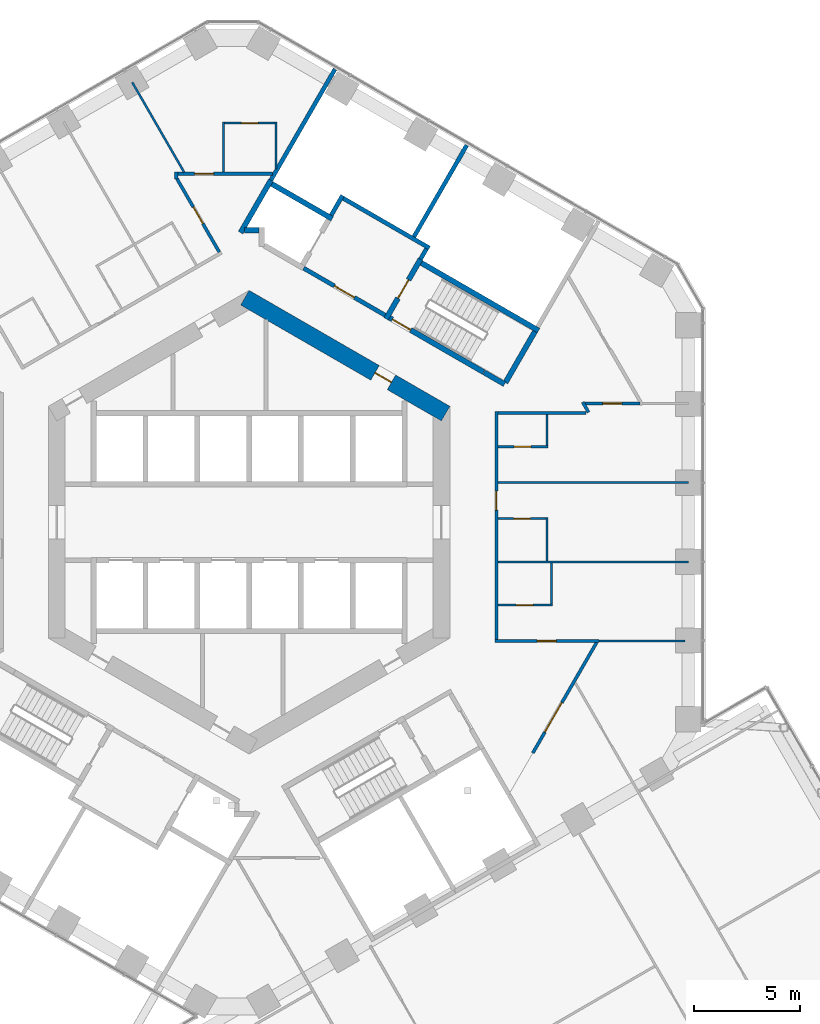
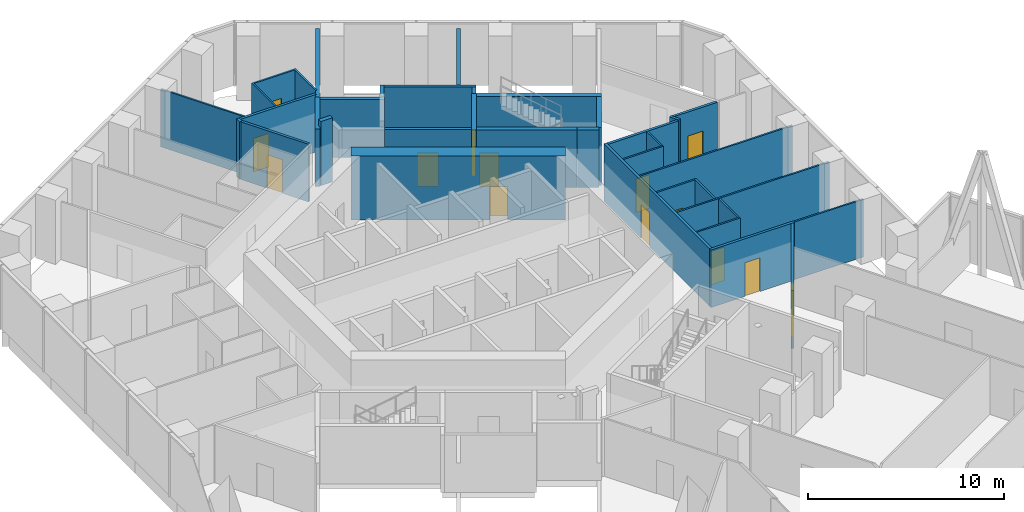
# One storey, part 21 of 27: 37 walls, 14 doors, 14 openings.
"""IFC4 building model written with IfcOpenShell, lengths in metres."""

from ifc_helpers import new_model, si_unit, direction, frame, frame_2d, origin, place, context, subcontext, project, spatial, rectangle, extrude, material, layer, layer_set, type_object, element, fill, save


model = new_model("IFC4")

# Units and contexts
model_context = context("Model", 3, precision=1e-05, world=origin(), true_north=direction((0.0, 1.0)))
body_context = subcontext(model_context, "Body", "Model", "MODEL_VIEW")
ifc_project = project(units=[si_unit("LENGTHUNIT", "METRE"), si_unit("AREAUNIT", "SQUARE_METRE"), si_unit("VOLUMEUNIT", "CUBIC_METRE"), si_unit("PLANEANGLEUNIT", "RADIAN"), si_unit("MASSUNIT", "GRAM", prefix="KILO")], contexts=[model_context])

# Site, building, storey
site_placement = place(None, origin())
site = spatial("IfcSite", under=ifc_project, at=site_placement, CompositionType="ELEMENT")
building_placement = place(site_placement, origin())
building = spatial("IfcBuilding", under=site, at=building_placement, Name="Ayvan Gate Tower", CompositionType="ELEMENT")
storey_placement = place(building_placement, frame((0.0, 0.0, 70.300048828125)))
storey = spatial("IfcBuildingStorey", under=building, at=storey_placement, Name="L18", CompositionType="ELEMENT", Elevation=70.300048828125)

# Wall, opening, door
ifc_material_1 = material(Name="Concrete C70/85", Category="concrete")
ifc_layer_1 = layer(ifc_material_1, 0.800048828125)
ifc_layer_set_1 = layer_set([ifc_layer_1], Name="Concrete C70/85")
wall_type_1 = type_object("IfcWallType", Name="Core wall 800 C70/85", PredefinedType="SHEAR", material=ifc_layer_set_1)
wall_1_placement = place(storey_placement, frame((9.300048828125, 5.138427734375, 0.0), z_axis=(0.0, 0.0, 1.0), x_axis=(-0.866023993627, 0.500002442456, 0.0)))
wall_1 = element("IfcWall", 1, at=wall_1_placement, inside=storey, type_object=wall_type_1, Name="CORE-L18-1", PredefinedType="SHEAR", context=body_context, shape_type="SweptSolid", body=[
    extrude(rectangle(XDim=10.9697265625, YDim=0.800048828125, at=frame_2d((5.48486328125, 0.0))), origin(), (0.0, 0.0, 1.0), 4.0),
])
opening_1_placement = place(wall_1_placement, frame((2.961669921875, 0.0, 0.0)))
opening_1 = element("IfcOpeningElement", 2, at=opening_1_placement, cuts=wall_1, Name="Opening L18-D53", PredefinedType="OPENING", context=body_context, shape_type="SweptSolid", body=[
    extrude(rectangle(XDim=0.89990234375, YDim=2.10009765625, at=frame_2d((0.449951171875, 1.050048828125))), frame((0.0, 0.409912109375, 0.0), z_axis=(0.0, -1.0, 0.0), x_axis=(1.0, 0.0, 0.0)), (0.0, 0.0, 1.0), 0.820068359375),
])
ifc_material_2 = material(Name="Timber door leaf", Category="wood")
door_type_1 = type_object("IfcDoorType", Name="DT-900", OperationType="NOTDEFINED", PredefinedType="DOOR", material=ifc_material_2)
door_1_placement = place(opening_1_placement, origin())
door_1 = element("IfcDoor", 3, at=door_1_placement, inside=storey, type_object=door_type_1, Name="CD-L18-53", OperationType="SINGLE_SWING_LEFT", OverallHeight=2.10009765625, OverallWidth=0.89990234375, PredefinedType="DOOR", context=body_context, shape_type="SweptSolid", body=[
    extrude(rectangle(XDim=0.89990234375, YDim=2.10009765625, at=frame_2d((0.449951171875, 1.050048828125))), frame((0.0, 0.02490234375, 0.0), z_axis=(0.0, -1.0, 0.0), x_axis=(1.0, 0.0, 0.0)), (0.0, 0.0, 1.0), 0.050048828125),
])
fill(opening_1, door_1)

# Wall
ifc_material_3 = material(Name="Plasterboard on steel stud", Category="steel")
ifc_layer_2 = layer(ifc_material_3, 0.14990234375)
ifc_layer_set_2 = layer_set([ifc_layer_2], Name="Plasterboard on steel stud")
wall_type_2 = type_object("IfcWallType", Name="WT-CORR-150", PredefinedType="PARTITIONING", material=ifc_layer_set_2)
wall_2_placement = place(storey_placement, frame((-3.449951171875, 16.238525390625, 0.0), z_axis=(0.0, 0.0, 1.0), x_axis=(0.0, 1.0, 0.0)))
element("IfcWall", 4, at=wall_2_placement, inside=storey, type_object=wall_type_2, Name="IW-L18-049", PredefinedType="PARTITIONING", context=body_context, shape_type="SweptSolid", body=[
    extrude(rectangle(XDim=0.32177734375, YDim=0.14990234375, at=frame_2d((0.160888671875, 0.0))), origin(), (0.0, 0.0, 1.0), 3.599853515625),
])

# Wall, opening, door
wall_3_placement = place(storey_placement, frame((-3.375, 16.4853515625, 0.0), z_axis=(0.0, 0.0, 1.0), x_axis=(1.0, 0.0, 0.0)))
wall_3 = element("IfcWall", 5, at=wall_3_placement, inside=storey, type_object=wall_type_2, Name="IW-L18-050", PredefinedType="PARTITIONING", context=body_context, shape_type="SweptSolid", body=[
    extrude(rectangle(XDim=4.47900390625, YDim=0.14990234375, at=frame_2d((2.239501953125, 0.0))), origin(), (0.0, 0.0, 1.0), 3.599853515625),
])
opening_2_placement = place(wall_3_placement, frame((0.7998046875, 0.0, 0.0)))
opening_2 = element("IfcOpeningElement", 6, at=opening_2_placement, cuts=wall_3, Name="Opening L18-D24", PredefinedType="OPENING", context=body_context, shape_type="SweptSolid", body=[
    extrude(rectangle(XDim=0.89990234375, YDim=2.10009765625, at=frame_2d((0.449951171875, 1.050048828125))), frame((0.0, 0.0849609375, 0.0), z_axis=(0.0, -1.0, 0.0), x_axis=(1.0, 0.0, 0.0)), (0.0, 0.0, 1.0), 0.169921875),
])
door_2_placement = place(opening_2_placement, origin())
door_2 = element("IfcDoor", 7, at=door_2_placement, inside=storey, type_object=door_type_1, Name="ID-L18-024", OperationType="SINGLE_SWING_RIGHT", OverallHeight=2.10009765625, OverallWidth=0.89990234375, PredefinedType="DOOR", context=body_context, shape_type="SweptSolid", body=[
    extrude(rectangle(XDim=0.89990234375, YDim=2.10009765625, at=frame_2d((0.449951171875, 1.050048828125))), frame((0.0, 0.02490234375, 0.0), z_axis=(0.0, -1.0, 0.0), x_axis=(1.0, 0.0, 0.0)), (0.0, 0.0, 1.0), 0.050048828125),
])
fill(opening_2, door_2)

wall_4_placement = place(storey_placement, frame((-1.410888671875, 12.781982421875, 0.0), z_axis=(0.0, 0.0, 1.0), x_axis=(-0.500055051143, 0.865993617659, 0.0)))
wall_4 = element("IfcWall", 8, at=wall_4_placement, inside=storey, type_object=wall_type_2, Name="IW-L18-058", PredefinedType="PARTITIONING", context=body_context, shape_type="SweptSolid", body=[
    extrude(rectangle(XDim=4.0029296875, YDim=0.14990234375, at=frame_2d((2.00146484375, 0.0))), origin(), (0.0, 0.0, 1.0), 3.599853515625),
])
opening_3_placement = place(wall_4_placement, frame((1.551513671875, 0.0, 0.0)))
opening_3 = element("IfcOpeningElement", 9, at=opening_3_placement, cuts=wall_4, Name="Opening L18-D34", PredefinedType="OPENING", context=body_context, shape_type="SweptSolid", body=[
    extrude(rectangle(XDim=0.89990234375, YDim=2.10009765625, at=frame_2d((0.449951171875, 1.050048828125))), frame((0.0, 0.0849609375, 0.0), z_axis=(0.0, -1.0, 0.0), x_axis=(1.0, 0.0, 0.0)), (0.0, 0.0, 1.0), 0.169921875),
])
door_3_placement = place(opening_3_placement, origin())
door_3 = element("IfcDoor", 10, at=door_3_placement, inside=storey, type_object=door_type_1, Name="ID-L18-034", OperationType="SINGLE_SWING_RIGHT", OverallHeight=2.10009765625, OverallWidth=0.89990234375, PredefinedType="DOOR", context=body_context, shape_type="SweptSolid", body=[
    extrude(rectangle(XDim=0.89990234375, YDim=2.10009765625, at=frame_2d((0.449951171875, 1.050048828125))), frame((0.0, 0.02490234375, 0.0), z_axis=(0.0, -1.0, 0.0), x_axis=(1.0, 0.0, 0.0)), (0.0, 0.0, 1.0), 0.050048828125),
])
fill(opening_3, door_3)

wall_5_placement = place(storey_placement, frame((11.625, -5.618896484375, 0.0), z_axis=(0.0, 0.0, 1.0), x_axis=(1.0, 0.0, 0.0)))
wall_5 = element("IfcWall", 11, at=wall_5_placement, inside=storey, type_object=wall_type_2, Name="IW-L18-111", PredefinedType="PARTITIONING", context=body_context, shape_type="SweptSolid", body=[
    extrude(rectangle(XDim=4.933349609375, YDim=0.14990234375, at=frame_2d((2.466796875, 0.0))), origin(), (0.0, 0.0, 1.0), 3.599853515625),
])
opening_4_placement = place(wall_5_placement, frame((1.999267578125, 0.0, 0.0)))
opening_4 = element("IfcOpeningElement", 12, at=opening_4_placement, cuts=wall_5, Name="Opening L18-D17", PredefinedType="OPENING", context=body_context, shape_type="SweptSolid", body=[
    extrude(rectangle(XDim=0.89990234375, YDim=2.10009765625, at=frame_2d((0.449951171875, 1.050048828125))), frame((0.0, 0.0849609375, 0.0), z_axis=(0.0, -1.0, 0.0), x_axis=(1.0, 0.0, 0.0)), (0.0, 0.0, 1.0), 0.169921875),
])
door_4_placement = place(opening_4_placement, origin())
door_4 = element("IfcDoor", 13, at=door_4_placement, inside=storey, type_object=door_type_1, Name="ID-L18-017", OperationType="SINGLE_SWING_LEFT", OverallHeight=2.10009765625, OverallWidth=0.89990234375, PredefinedType="DOOR", context=body_context, shape_type="SweptSolid", body=[
    extrude(rectangle(XDim=0.89990234375, YDim=2.10009765625, at=frame_2d((0.449951171875, 1.050048828125))), frame((0.0, 0.02490234375, 0.0), z_axis=(0.0, -1.0, 0.0), x_axis=(1.0, 0.0, 0.0)), (0.0, 0.0, 1.0), 0.050048828125),
])
fill(opening_4, door_4)

wall_6_placement = place(storey_placement, frame((11.699951171875, -5.5439453125, 0.0), z_axis=(0.0, 0.0, 1.0), x_axis=(0.0, 1.0, 0.0)))
wall_6 = element("IfcWall", 14, at=wall_6_placement, inside=storey, type_object=wall_type_2, Name="IW-L18-112", PredefinedType="PARTITIONING", context=body_context, shape_type="SweptSolid", body=[
    extrude(rectangle(XDim=10.787841796875, YDim=0.14990234375, at=frame_2d((5.39404296875, 0.0))), origin(), (0.0, 0.0, 1.0), 3.599853515625),
])
opening_5_placement = place(wall_6_placement, frame((6.116943359375, 0.0, 0.0)))
opening_5 = element("IfcOpeningElement", 15, at=opening_5_placement, cuts=wall_6, Name="Opening L18-D19", PredefinedType="OPENING", context=body_context, shape_type="SweptSolid", body=[
    extrude(rectangle(XDim=0.89990234375, YDim=2.10009765625, at=frame_2d((0.449951171875, 1.050048828125))), frame((0.0, 0.0849609375, 0.0), z_axis=(0.0, -1.0, 0.0), x_axis=(1.0, 0.0, 0.0)), (0.0, 0.0, 1.0), 0.169921875),
])
door_5_placement = place(opening_5_placement, origin())
door_5 = element("IfcDoor", 16, at=door_5_placement, inside=storey, type_object=door_type_1, Name="ID-L18-019", OperationType="SINGLE_SWING_LEFT", OverallHeight=2.10009765625, OverallWidth=0.89990234375, PredefinedType="DOOR", context=body_context, shape_type="SweptSolid", body=[
    extrude(rectangle(XDim=0.89990234375, YDim=2.10009765625, at=frame_2d((0.449951171875, 1.050048828125))), frame((0.0, 0.02490234375, 0.0), z_axis=(0.0, -1.0, 0.0), x_axis=(1.0, 0.0, 0.0)), (0.0, 0.0, 1.0), 0.050048828125),
])
fill(opening_5, door_5)

# Wall
wall_7_placement = place(storey_placement, frame((11.77490234375, 5.1689453125, 0.0), z_axis=(0.0, 0.0, 1.0), x_axis=(1.0, 0.0, 0.0)))
element("IfcWall", 17, at=wall_7_placement, inside=storey, type_object=wall_type_2, Name="IW-L18-124", PredefinedType="PARTITIONING", context=body_context, shape_type="SweptSolid", body=[
    extrude(rectangle(XDim=4.153076171875, YDim=0.14990234375, at=frame_2d((2.07666015625, 0.0))), origin(), (0.0, 0.0, 1.0), 3.599853515625),
])

# Wall, opening, door
wall_8_placement = place(storey_placement, frame((13.424072265625, -10.917724609375, 0.0), z_axis=(0.0, 0.0, 1.0), x_axis=(0.499992877875, 0.866029515706, 0.0)))
wall_8 = element("IfcWall", 18, at=wall_8_placement, inside=storey, type_object=wall_type_2, Name="IW-L18-129", PredefinedType="PARTITIONING", context=body_context, shape_type="SweptSolid", body=[
    extrude(rectangle(XDim=6.04345703125, YDim=0.14990234375, at=frame_2d((3.021728515625, 0.0))), origin(), (0.0, 0.0, 1.0), 3.599853515625),
])
opening_6_placement = place(wall_8_placement, frame((1.145751953125, 0.0, 0.0)))
opening_6 = element("IfcOpeningElement", 19, at=opening_6_placement, cuts=wall_8, Name="Opening L18-D41", PredefinedType="OPENING", context=body_context, shape_type="SweptSolid", body=[
    extrude(rectangle(XDim=1.60009765625, YDim=2.10009765625, at=frame_2d((0.800048828125, 1.050048828125))), frame((0.0, 0.0849609375, 0.0), z_axis=(0.0, -1.0, 0.0), x_axis=(1.0, 0.0, 0.0)), (0.0, 0.0, 1.0), 0.169921875),
])
door_type_2 = type_object("IfcDoorType", Name="DT-1600", OperationType="NOTDEFINED", PredefinedType="DOOR", material=ifc_material_2)
door_6_placement = place(opening_6_placement, origin())
door_6 = element("IfcDoor", 20, at=door_6_placement, inside=storey, type_object=door_type_2, Name="ID-L18-041", OperationType="SINGLE_SWING_LEFT", OverallHeight=2.10009765625, OverallWidth=1.60009765625, PredefinedType="DOOR", context=body_context, shape_type="SweptSolid", body=[
    extrude(rectangle(XDim=1.60009765625, YDim=2.10009765625, at=frame_2d((0.800048828125, 1.050048828125))), frame((0.0, 0.02490234375, 0.0), z_axis=(0.0, -1.0, 0.0), x_axis=(1.0, 0.0, 0.0)), (0.0, 0.0, 1.0), 0.050048828125),
])
fill(opening_6, door_6)

# Wall
wall_9_placement = place(storey_placement, frame((15.78369140625, 5.683837890625, 0.0), z_axis=(0.0, 0.0, 1.0), x_axis=(0.49987468637, -0.866097741555, 0.0)))
element("IfcWall", 21, at=wall_9_placement, inside=storey, type_object=wall_type_2, Name="IW-L18-130", PredefinedType="PARTITIONING", context=body_context, shape_type="SweptSolid", body=[
    extrude(rectangle(XDim=0.555419921875, YDim=0.14990234375, at=frame_2d((0.27783203125, 0.0))), origin(), (0.0, 0.0, 1.0), 3.599853515625),
])

# Wall, opening, door
wall_10_placement = place(storey_placement, frame((18.48681640625, 5.618896484375, 0.0), z_axis=(0.0, 0.0, 1.0), x_axis=(-1.0, 0.0, 0.0)))
wall_10 = element("IfcWall", 22, at=wall_10_placement, inside=storey, type_object=wall_type_2, Name="IW-L18-133", PredefinedType="PARTITIONING", context=body_context, shape_type="SweptSolid", body=[
    extrude(rectangle(XDim=2.5908203125, YDim=0.14990234375, at=frame_2d((1.29541015625, 0.0))), origin(), (0.0, 0.0, 1.0), 3.599853515625),
])
opening_7_placement = place(wall_10_placement, frame((0.84521484375, 0.0, 0.0)))
opening_7 = element("IfcOpeningElement", 23, at=opening_7_placement, cuts=wall_10, Name="Opening L18-D21", PredefinedType="OPENING", context=body_context, shape_type="SweptSolid", body=[
    extrude(rectangle(XDim=0.89990234375, YDim=2.10009765625, at=frame_2d((0.449951171875, 1.050048828125))), frame((0.0, 0.0849609375, 0.0), z_axis=(0.0, -1.0, 0.0), x_axis=(1.0, 0.0, 0.0)), (0.0, 0.0, 1.0), 0.169921875),
])
door_7_placement = place(opening_7_placement, origin())
door_7 = element("IfcDoor", 24, at=door_7_placement, inside=storey, type_object=door_type_1, Name="ID-L18-021", OperationType="SINGLE_SWING_LEFT", OverallHeight=2.10009765625, OverallWidth=0.89990234375, PredefinedType="DOOR", context=body_context, shape_type="SweptSolid", body=[
    extrude(rectangle(XDim=0.89990234375, YDim=2.10009765625, at=frame_2d((0.449951171875, 1.050048828125))), frame((0.0, 0.02490234375, 0.0), z_axis=(0.0, -1.0, 0.0), x_axis=(1.0, 0.0, 0.0)), (0.0, 0.0, 1.0), 0.050048828125),
])
fill(opening_7, door_7)

# Walls
ifc_layer_3 = layer(ifc_material_3, 0.10009765625)
ifc_layer_set_3 = layer_set([ifc_layer_3], Name="Plasterboard on steel stud")
wall_type_3 = type_object("IfcWallType", Name="WT-PART-100", PredefinedType="PARTITIONING", material=ifc_layer_set_3)
wall_11_placement = place(storey_placement, frame((-3.067138671875, 16.55029296875, 0.0), z_axis=(0.0, 0.0, 1.0), x_axis=(-0.499983141994, 0.86603513654, 0.0)))
element("IfcWall", 25, at=wall_11_placement, inside=storey, type_object=wall_type_3, Name="IW-L18-051", PredefinedType="PARTITIONING", context=body_context, shape_type="SweptSolid", body=[
    extrude(rectangle(XDim=4.918212890625, YDim=0.10009765625, at=frame_2d((2.458984375, 0.0))), origin(), (0.0, 0.0, 1.0), 3.599853515625),
])
wall_12_placement = place(storey_placement, frame((-1.220703125, 18.934326171875, 0.0), z_axis=(0.0, 0.0, 1.0), x_axis=(0.0, -1.0, 0.0)))
element("IfcWall", 26, at=wall_12_placement, inside=storey, type_object=wall_type_3, Name="IW-L18-059", PredefinedType="PARTITIONING", context=body_context, shape_type="SweptSolid", body=[
    extrude(rectangle(XDim=2.3740234375, YDim=0.10009765625, at=frame_2d((1.18701171875, 0.0))), origin(), (0.0, 0.0, 1.0), 3.599853515625),
])
wall_13_placement = place(storey_placement, frame((1.279296875, 16.7158203125, 0.0), z_axis=(0.0, 0.0, 1.0), x_axis=(0.0, 1.0, 0.0)))
element("IfcWall", 27, at=wall_13_placement, inside=storey, type_object=wall_type_3, Name="IW-L18-074", PredefinedType="PARTITIONING", context=body_context, shape_type="SweptSolid", body=[
    extrude(rectangle(XDim=2.218505859375, YDim=0.10009765625, at=frame_2d((1.109375, 0.0))), origin(), (0.0, 0.0, 1.0), 3.599853515625),
])

# Wall, opening, door
wall_14_placement = place(storey_placement, frame((1.229248046875, 18.884521484375, 0.0), z_axis=(0.0, 0.0, 1.0), x_axis=(-1.0, 0.0, 0.0)))
wall_14 = element("IfcWall", 28, at=wall_14_placement, inside=storey, type_object=wall_type_3, Name="IW-L18-075", PredefinedType="PARTITIONING", context=body_context, shape_type="SweptSolid", body=[
    extrude(rectangle(XDim=2.400146484375, YDim=0.10009765625, at=frame_2d((1.2001953125, 0.0))), origin(), (0.0, 0.0, 1.0), 3.599853515625),
])
opening_8_placement = place(wall_14_placement, frame((0.800048828125, 0.0, 0.0)))
opening_8 = element("IfcOpeningElement", 29, at=opening_8_placement, cuts=wall_14, Name="Opening L18-D25", PredefinedType="OPENING", context=body_context, shape_type="SweptSolid", body=[
    extrude(rectangle(XDim=0.800048828125, YDim=2.10009765625, at=frame_2d((0.39990234375, 1.050048828125))), frame((0.0, 0.06005859375, 0.0), z_axis=(0.0, -1.0, 0.0), x_axis=(1.0, 0.0, 0.0)), (0.0, 0.0, 1.0), 0.1201171875),
])
door_type_3 = type_object("IfcDoorType", Name="DT-800", OperationType="NOTDEFINED", PredefinedType="DOOR", material=ifc_material_2)
door_8_placement = place(opening_8_placement, origin())
door_8 = element("IfcDoor", 30, at=door_8_placement, inside=storey, type_object=door_type_3, Name="ID-L18-025", OperationType="SINGLE_SWING_LEFT", OverallHeight=2.10009765625, OverallWidth=0.800048828125, PredefinedType="DOOR", context=body_context, shape_type="SweptSolid", body=[
    extrude(rectangle(XDim=0.800048828125, YDim=2.10009765625, at=frame_2d((0.39990234375, 1.050048828125))), frame((0.0, 0.02490234375, 0.0), z_axis=(0.0, -1.0, 0.0), x_axis=(1.0, 0.0, 0.0)), (0.0, 0.0, 1.0), 0.050048828125),
])
fill(opening_8, door_8)

wall_15_placement = place(storey_placement, frame((11.77490234375, -3.9189453125, 0.0), z_axis=(0.0, 0.0, 1.0), x_axis=(1.0, 0.0, 0.0)))
wall_15 = element("IfcWall", 31, at=wall_15_placement, inside=storey, type_object=wall_type_3, Name="IW-L18-113", PredefinedType="PARTITIONING", context=body_context, shape_type="SweptSolid", body=[
    extrude(rectangle(XDim=2.5751953125, YDim=0.10009765625, at=frame_2d((1.28759765625, 0.0))), origin(), (0.0, 0.0, 1.0), 3.599853515625),
])
opening_9_placement = place(wall_15_placement, frame((0.862548828125, 0.0, 0.0)))
opening_9 = element("IfcOpeningElement", 32, at=opening_9_placement, cuts=wall_15, Name="Opening L18-D18", PredefinedType="OPENING", context=body_context, shape_type="SweptSolid", body=[
    extrude(rectangle(XDim=0.800048828125, YDim=2.10009765625, at=frame_2d((0.39990234375, 1.050048828125))), frame((0.0, 0.06005859375, 0.0), z_axis=(0.0, -1.0, 0.0), x_axis=(1.0, 0.0, 0.0)), (0.0, 0.0, 1.0), 0.1201171875),
])
door_9_placement = place(opening_9_placement, origin())
door_9 = element("IfcDoor", 33, at=door_9_placement, inside=storey, type_object=door_type_3, Name="ID-L18-018", OperationType="SINGLE_SWING_RIGHT", OverallHeight=2.10009765625, OverallWidth=0.800048828125, PredefinedType="DOOR", context=body_context, shape_type="SweptSolid", body=[
    extrude(rectangle(XDim=0.800048828125, YDim=2.10009765625, at=frame_2d((0.39990234375, 1.050048828125))), frame((0.0, 0.02490234375, 0.0), z_axis=(0.0, -1.0, 0.0), x_axis=(1.0, 0.0, 0.0)), (0.0, 0.0, 1.0), 0.050048828125),
])
fill(opening_9, door_9)

# Walls
for number, where, z_axis, x_axis, name in (
    (34, (11.77490234375, -1.873046875, 0.0), (0.0, 0.0, 1.0), (1.0, 0.0, 0.0), "IW-L18-114"),
    (35, (11.77490234375, 1.873046875, 0.0), (0.0, 0.0, 1.0), (1.0, 0.0, 0.0), "IW-L18-115"),
):
    element("IfcWall", number, at=place(storey_placement, frame(where, z_axis=z_axis, x_axis=x_axis)), inside=storey, type_object=wall_type_3, Name=name, PredefinedType="PARTITIONING", context=body_context, shape_type="SweptSolid", body=[
        extrude(rectangle(XDim=9.009765625, YDim=0.10009765625, at=frame_2d((4.5048828125, 0.0))), origin(), (0.0, 0.0, 1.0), 3.599853515625),
    ])

# Wall, opening, door
wall_16_placement = place(storey_placement, frame((11.77490234375, 3.572998046875, 0.0), z_axis=(0.0, 0.0, 1.0), x_axis=(1.0, 0.0, 0.0)))
wall_16 = element("IfcWall", 36, at=wall_16_placement, inside=storey, type_object=wall_type_3, Name="IW-L18-116", PredefinedType="PARTITIONING", context=body_context, shape_type="SweptSolid", body=[
    extrude(rectangle(XDim=2.375, YDim=0.10009765625, at=frame_2d((1.1875, 0.0))), origin(), (0.0, 0.0, 1.0), 3.599853515625),
])
opening_10_placement = place(wall_16_placement, frame((0.762451171875, 0.0, 0.0)))
opening_10 = element("IfcOpeningElement", 37, at=opening_10_placement, cuts=wall_16, Name="Opening L18-D22", PredefinedType="OPENING", context=body_context, shape_type="SweptSolid", body=[
    extrude(rectangle(XDim=0.800048828125, YDim=2.10009765625, at=frame_2d((0.39990234375, 1.050048828125))), frame((0.0, 0.06005859375, 0.0), z_axis=(0.0, -1.0, 0.0), x_axis=(1.0, 0.0, 0.0)), (0.0, 0.0, 1.0), 0.1201171875),
])
door_10_placement = place(opening_10_placement, origin())
door_10 = element("IfcDoor", 38, at=door_10_placement, inside=storey, type_object=door_type_3, Name="ID-L18-022", OperationType="SINGLE_SWING_RIGHT", OverallHeight=2.10009765625, OverallWidth=0.800048828125, PredefinedType="DOOR", context=body_context, shape_type="SweptSolid", body=[
    extrude(rectangle(XDim=0.800048828125, YDim=2.10009765625, at=frame_2d((0.39990234375, 1.050048828125))), frame((0.0, 0.02490234375, 0.0), z_axis=(0.0, -1.0, 0.0), x_axis=(1.0, 0.0, 0.0)), (0.0, 0.0, 1.0), 0.050048828125),
])
fill(opening_10, door_10)

# Wall
wall_17_placement = place(storey_placement, frame((14.10009765625, -1.822998046875, 0.0), z_axis=(0.0, 0.0, 1.0), x_axis=(0.0, 1.0, 0.0)))
element("IfcWall", 39, at=wall_17_placement, inside=storey, type_object=wall_type_3, Name="IW-L18-121", PredefinedType="PARTITIONING", context=body_context, shape_type="SweptSolid", body=[
    extrude(rectangle(XDim=2.0458984375, YDim=0.10009765625, at=frame_2d((1.02294921875, 0.0))), origin(), (0.0, 0.0, 1.0), 3.599853515625),
])

# Wall, opening, door
wall_18_placement = place(storey_placement, frame((14.050048828125, 0.173095703125, 0.0), z_axis=(0.0, 0.0, 1.0), x_axis=(-1.0, 0.0, 0.0)))
wall_18 = element("IfcWall", 40, at=wall_18_placement, inside=storey, type_object=wall_type_3, Name="IW-L18-122", PredefinedType="PARTITIONING", context=body_context, shape_type="SweptSolid", body=[
    extrude(rectangle(XDim=2.275146484375, YDim=0.10009765625, at=frame_2d((1.1376953125, 0.0))), origin(), (0.0, 0.0, 1.0), 3.599853515625),
])
opening_11_placement = place(wall_18_placement, frame((0.737548828125, 0.0, 0.0)))
opening_11 = element("IfcOpeningElement", 41, at=opening_11_placement, cuts=wall_18, Name="Opening L18-D20", PredefinedType="OPENING", context=body_context, shape_type="SweptSolid", body=[
    extrude(rectangle(XDim=0.800048828125, YDim=2.10009765625, at=frame_2d((0.39990234375, 1.050048828125))), frame((0.0, 0.06005859375, 0.0), z_axis=(0.0, -1.0, 0.0), x_axis=(1.0, 0.0, 0.0)), (0.0, 0.0, 1.0), 0.1201171875),
])
door_11_placement = place(opening_11_placement, origin())
door_11 = element("IfcDoor", 42, at=door_11_placement, inside=storey, type_object=door_type_3, Name="ID-L18-020", OperationType="SINGLE_SWING_RIGHT", OverallHeight=2.10009765625, OverallWidth=0.800048828125, PredefinedType="DOOR", context=body_context, shape_type="SweptSolid", body=[
    extrude(rectangle(XDim=0.800048828125, YDim=2.10009765625, at=frame_2d((0.39990234375, 1.050048828125))), frame((0.0, 0.02490234375, 0.0), z_axis=(0.0, -1.0, 0.0), x_axis=(1.0, 0.0, 0.0)), (0.0, 0.0, 1.0), 0.050048828125),
])
fill(opening_11, door_11)

# Walls
wall_19_placement = place(storey_placement, frame((14.10009765625, 3.623046875, 0.0), z_axis=(0.0, 0.0, 1.0), x_axis=(0.0, 1.0, 0.0)))
element("IfcWall", 43, at=wall_19_placement, inside=storey, type_object=wall_type_3, Name="IW-L18-123", PredefinedType="PARTITIONING", context=body_context, shape_type="SweptSolid", body=[
    extrude(rectangle(XDim=1.470947265625, YDim=0.10009765625, at=frame_2d((0.7353515625, 0.0))), origin(), (0.0, 0.0, 1.0), 3.599853515625),
])
wall_20_placement = place(storey_placement, frame((14.300048828125, -3.868896484375, 0.0), z_axis=(0.0, 0.0, 1.0), x_axis=(0.0, 1.0, 0.0)))
element("IfcWall", 44, at=wall_20_placement, inside=storey, type_object=wall_type_3, Name="IW-L18-125", PredefinedType="PARTITIONING", context=body_context, shape_type="SweptSolid", body=[
    extrude(rectangle(XDim=1.94580078125, YDim=0.10009765625, at=frame_2d((0.972900390625, 0.0))), origin(), (0.0, 0.0, 1.0), 3.599853515625),
])
wall_21_placement = place(storey_placement, frame((20.634765625, -5.618896484375, 0.0), z_axis=(0.0, 0.0, 1.0), x_axis=(-1.0, 0.0, 0.0)))
element("IfcWall", 45, at=wall_21_placement, inside=storey, type_object=wall_type_3, Name="IW-L18-136", PredefinedType="PARTITIONING", context=body_context, shape_type="SweptSolid", body=[
    extrude(rectangle(XDim=4.07666015625, YDim=0.10009765625, at=frame_2d((2.038330078125, 0.0))), origin(), (0.0, 0.0, 1.0), 3.599853515625),
])
ifc_layer_4 = layer(ifc_material_3, 0.199951171875)
ifc_layer_set_4 = layer_set([ifc_layer_4], Name="Plasterboard on steel stud")
wall_type_4 = type_object("IfcWallType", Name="WT-PLUMB-200", PredefinedType="PLUMBINGWALL", material=ifc_layer_set_4)
wall_22_placement = place(storey_placement, frame((1.027099609375, 16.178955078125, 0.0), z_axis=(0.0, 0.0, 1.0), x_axis=(0.49999965181, 0.866025604812, 0.0)))
element("IfcWall", 46, at=wall_22_placement, inside=storey, type_object=wall_type_4, Name="IW-L18-072", PredefinedType="PLUMBINGWALL", context=body_context, shape_type="SweptSolid", body=[
    extrude(rectangle(XDim=6.07373046875, YDim=0.199951171875, at=frame_2d((3.036865234375, 0.0))), origin(), (0.0, 0.0, 1.0), 3.599853515625),
])
wall_23_placement = place(storey_placement, frame((3.885009765625, 14.52880859375, 0.0), z_axis=(0.0, 0.0, 1.0), x_axis=(0.499997628298, 0.866026773083, 0.0)))
element("IfcWall", 47, at=wall_23_placement, inside=storey, type_object=wall_type_4, Name="IW-L18-086", PredefinedType="PLUMBINGWALL", context=body_context, shape_type="SweptSolid", body=[
    extrude(rectangle(XDim=1.0751953125, YDim=0.199951171875, at=frame_2d((0.53759765625, 0.0))), origin(), (0.0, 0.0, 1.0), 3.599853515625),
])
wall_24_placement = place(storey_placement, frame((4.458984375, 15.323486328125, 0.0), z_axis=(0.0, 0.0, 1.0), x_axis=(0.866016039709, -0.500016218704, 0.0)))
element("IfcWall", 48, at=wall_24_placement, inside=storey, type_object=wall_type_4, Name="IW-L18-087", PredefinedType="PLUMBINGWALL", context=body_context, shape_type="SweptSolid", body=[
    extrude(rectangle(XDim=4.699951171875, YDim=0.199951171875, at=frame_2d((2.35009765625, 0.0))), origin(), (0.0, 0.0, 1.0), 3.599853515625),
])
wall_25_placement = place(storey_placement, frame((7.800048828125, 13.510009765625, 0.0), z_axis=(0.0, 0.0, 1.0), x_axis=(0.500000087074, 0.866025353512, 0.0)))
element("IfcWall", 49, at=wall_25_placement, inside=storey, type_object=wall_type_4, Name="IW-L18-102", PredefinedType="PLUMBINGWALL", context=body_context, shape_type="SweptSolid", body=[
    extrude(rectangle(XDim=4.99853515625, YDim=0.199951171875, at=frame_2d((2.499267578125, 0.0))), origin(), (0.0, 0.0, 1.0), 3.599853515625),
])
wall_26_placement = place(storey_placement, frame((8.392822265625, 12.936767578125, 0.0), z_axis=(0.0, 0.0, 1.0), x_axis=(-0.500065409566, -0.86598763626, 0.0)))
element("IfcWall", 50, at=wall_26_placement, inside=storey, type_object=wall_type_4, Name="IW-L18-104", PredefinedType="PLUMBINGWALL", context=body_context, shape_type="SweptSolid", body=[
    extrude(rectangle(XDim=0.5751953125, YDim=0.199951171875, at=frame_2d((0.28759765625, 0.0))), origin(), (0.0, 0.0, 1.0), 3.599853515625),
])

# Wall, opening, door
ifc_layer_5 = layer(ifc_material_3, 0.199951171875)
ifc_layer_set_5 = layer_set([ifc_layer_5], Name="Plasterboard on steel stud")
wall_type_5 = type_object("IfcWallType", Name="WT-RATED-200", PredefinedType="PARTITIONING", material=ifc_layer_set_5)
wall_27_placement = place(storey_placement, frame((6.4345703125, 9.794921875, 0.0), z_axis=(0.0, 0.0, 1.0), x_axis=(-0.866012907634, 0.500021643343, 0.0)))
wall_27 = element("IfcWall", 51, at=wall_27_placement, inside=storey, type_object=wall_type_5, Name="IW-L18-093", PredefinedType="PARTITIONING", context=body_context, shape_type="SweptSolid", body=[
    extrude(rectangle(XDim=4.449951171875, YDim=0.199951171875, at=frame_2d((2.22509765625, 0.0))), origin(), (0.0, 0.0, 1.0), 3.599853515625),
])
opening_12_placement = place(wall_27_placement, frame((1.675048828125, 0.0, 0.0)))
opening_12 = element("IfcOpeningElement", 52, at=opening_12_placement, cuts=wall_27, Name="Opening L18-D08", PredefinedType="OPENING", context=body_context, shape_type="SweptSolid", body=[
    extrude(rectangle(XDim=1.10009765625, YDim=2.10009765625, at=frame_2d((0.550048828125, 1.050048828125))), frame((0.0, 0.10986328125, 0.0), z_axis=(0.0, -1.0, 0.0), x_axis=(1.0, 0.0, 0.0)), (0.0, 0.0, 1.0), 0.219970703125),
])
door_type_4 = type_object("IfcDoorType", Name="DT-1100", OperationType="NOTDEFINED", PredefinedType="DOOR", material=ifc_material_2)
door_12_placement = place(opening_12_placement, origin())
door_12 = element("IfcDoor", 53, at=door_12_placement, inside=storey, type_object=door_type_4, Name="ID-L18-008", OperationType="SINGLE_SWING_RIGHT", OverallHeight=2.10009765625, OverallWidth=1.10009765625, PredefinedType="DOOR", context=body_context, shape_type="SweptSolid", body=[
    extrude(rectangle(XDim=1.10009765625, YDim=2.10009765625, at=frame_2d((0.550048828125, 1.050048828125))), frame((0.0, 0.02490234375, 0.0), z_axis=(0.0, -1.0, 0.0), x_axis=(1.0, 0.0, 0.0)), (0.0, 0.0, 1.0), 0.050048828125),
])
fill(opening_12, door_12)

# Walls
ifc_material_4 = material(Name="Concrete C50/60", Category="concrete")
ifc_layer_6 = layer(ifc_material_4, 0.25)
ifc_layer_set_6 = layer_set([ifc_layer_6], Name="Concrete C50/60")
wall_type_6 = type_object("IfcWallType", Name="WT-RC-250", PredefinedType="SHEAR", material=ifc_layer_set_6)
wall_28_placement = place(storey_placement, frame((-0.403076171875, 13.70166015625, 0.0), z_axis=(0.0, 0.0, 1.0), x_axis=(0.499976111731, 0.866039195244, 0.0)))
element("IfcWall", 54, at=wall_28_placement, inside=storey, type_object=wall_type_6, Name="IW-L18-066", PredefinedType="SHEAR", context=body_context, shape_type="SweptSolid", body=[
    extrude(rectangle(XDim=2.860595703125, YDim=0.25, at=frame_2d((1.43017578125, 0.0))), origin(), (0.0, 0.0, 1.0), 3.599853515625),
])
wall_29_placement = place(storey_placement, frame((0.47509765625, 13.81005859375, 0.0), z_axis=(0.0, 0.0, 1.0), x_axis=(-1.0, 0.0, 0.0)))
element("IfcWall", 55, at=wall_29_placement, inside=storey, type_object=wall_type_6, Name="IW-L18-070", PredefinedType="SHEAR", context=body_context, shape_type="SweptSolid", body=[
    extrude(rectangle(XDim=0.690673828125, YDim=0.25, at=frame_2d((0.34521484375, 0.0))), origin(), (0.0, 0.0, 1.0), 4.0),
])
wall_30_placement = place(storey_placement, frame((1.072998046875, 16.00830078125, 0.0), z_axis=(0.0, 0.0, 1.0), x_axis=(0.866040211805, -0.499974350878, 0.0)))
element("IfcWall", 56, at=wall_30_placement, inside=storey, type_object=wall_type_6, Name="IW-L18-073", PredefinedType="SHEAR", context=body_context, shape_type="SweptSolid", body=[
    extrude(rectangle(XDim=3.300048828125, YDim=0.25, at=frame_2d((1.64990234375, 0.0))), origin(), (0.0, 0.0, 1.0), 3.599853515625),
])

# Wall, opening, door
wall_31_placement = place(storey_placement, frame((6.480224609375, 9.624267578125, 0.0), z_axis=(0.0, 0.0, 1.0), x_axis=(0.500017246033, 0.866015446554, 0.0)))
wall_31 = element("IfcWall", 57, at=wall_31_placement, inside=storey, type_object=wall_type_6, Name="IW-L18-094", PredefinedType="SHEAR", context=body_context, shape_type="SweptSolid", body=[
    extrude(rectangle(XDim=3.25, YDim=0.25, at=frame_2d((1.625, 0.0))), origin(), (0.0, 0.0, 1.0), 3.599853515625),
])
opening_13_placement = place(wall_31_placement, frame((1.125, 0.0, 0.0)))
opening_13 = element("IfcOpeningElement", 58, at=opening_13_placement, cuts=wall_31, Name="Opening L18-D07", PredefinedType="OPENING", context=body_context, shape_type="SweptSolid", body=[
    extrude(rectangle(XDim=1.0, YDim=2.10009765625, at=frame_2d((0.5, 1.050048828125))), frame((0.0, 0.135009765625, 0.0), z_axis=(0.0, -1.0, 0.0), x_axis=(1.0, 0.0, 0.0)), (0.0, 0.0, 1.0), 0.27001953125),
])
door_type_5 = type_object("IfcDoorType", Name="DT-1000", OperationType="NOTDEFINED", PredefinedType="DOOR", material=ifc_material_2)
door_13_placement = place(opening_13_placement, origin())
door_13 = element("IfcDoor", 59, at=door_13_placement, inside=storey, type_object=door_type_5, Name="ID-L18-007", OperationType="SINGLE_SWING_LEFT", OverallHeight=2.10009765625, OverallWidth=1.0, PredefinedType="DOOR", context=body_context, shape_type="SweptSolid", body=[
    extrude(rectangle(XDim=1.0, YDim=2.10009765625, at=frame_2d((0.5, 1.050048828125))), frame((0.0, 0.02490234375, 0.0), z_axis=(0.0, -1.0, 0.0), x_axis=(1.0, 0.0, 0.0)), (0.0, 0.0, 1.0), 0.050048828125),
])
fill(opening_13, door_13)

# Wall
wall_32_placement = place(storey_placement, frame((8.151123046875, 12.26806640625, 0.0), z_axis=(0.0, 0.0, 1.0), x_axis=(0.866025499775, -0.499999833739, 0.0)))
element("IfcWall", 60, at=wall_32_placement, inside=storey, type_object=wall_type_6, Name="IW-L18-103", PredefinedType="SHEAR", context=body_context, shape_type="SweptSolid", body=[
    extrude(rectangle(XDim=6.39990234375, YDim=0.25, at=frame_2d((3.199951171875, 0.0))), origin(), (0.0, 0.0, 1.0), 3.599853515625),
])

# Wall, opening, door
wall_33_placement = place(storey_placement, frame((11.10009765625, 7.101318359375, 0.0), z_axis=(0.0, 0.0, 1.0), x_axis=(-0.8660265141, 0.499998076872, 0.0)))
wall_33 = element("IfcWall", 61, at=wall_33_placement, inside=storey, type_object=wall_type_6, Name="IW-L18-110", PredefinedType="SHEAR", context=body_context, shape_type="SweptSolid", body=[
    extrude(rectangle(XDim=5.13720703125, YDim=0.25, at=frame_2d((2.568603515625, 0.0))), origin(), (0.0, 0.0, 1.0), 3.599853515625),
])
opening_14_placement = place(wall_33_placement, frame((3.9873046875, 0.0, 0.0)))
opening_14 = element("IfcOpeningElement", 62, at=opening_14_placement, cuts=wall_33, Name="Opening L18-D06", PredefinedType="OPENING", context=body_context, shape_type="SweptSolid", body=[
    extrude(rectangle(XDim=1.0, YDim=2.10009765625, at=frame_2d((0.5, 1.050048828125))), frame((0.0, 0.135009765625, 0.0), z_axis=(0.0, -1.0, 0.0), x_axis=(1.0, 0.0, 0.0)), (0.0, 0.0, 1.0), 0.27001953125),
])
door_14_placement = place(opening_14_placement, origin())
door_14 = element("IfcDoor", 63, at=door_14_placement, inside=storey, type_object=door_type_5, Name="ID-L18-006", OperationType="SINGLE_SWING_RIGHT", OverallHeight=2.10009765625, OverallWidth=1.0, PredefinedType="DOOR", context=body_context, shape_type="SweptSolid", body=[
    extrude(rectangle(XDim=1.0, YDim=2.10009765625, at=frame_2d((0.5, 1.050048828125))), frame((0.0, 0.02490234375, 0.0), z_axis=(0.0, -1.0, 0.0), x_axis=(1.0, 0.0, 0.0)), (0.0, 0.0, 1.0), 0.050048828125),
])
fill(opening_14, door_14)

# Walls
wall_34_placement = place(storey_placement, frame((12.08544921875, 6.532470703125, 0.0), z_axis=(0.0, 0.0, 1.0), x_axis=(-0.86604373436, 0.499968249168, 0.0)))
element("IfcWall", 64, at=wall_34_placement, inside=storey, type_object=wall_type_6, Name="IW-L18-117", PredefinedType="SHEAR", context=body_context, shape_type="SweptSolid", body=[
    extrude(rectangle(XDim=1.11767578125, YDim=0.25, at=frame_2d((0.558837890625, 0.0))), origin(), (0.0, 0.0, 1.0), 3.599853515625),
])
wall_35_placement = place(storey_placement, frame((13.52294921875, 9.022216796875, 0.0), z_axis=(0.0, 0.0, 1.0), x_axis=(-0.500013277472, -0.866017737897, 0.0)))
element("IfcWall", 65, at=wall_35_placement, inside=storey, type_object=wall_type_6, Name="IW-L18-119", PredefinedType="SHEAR", context=body_context, shape_type="SweptSolid", body=[
    extrude(rectangle(XDim=2.78564453125, YDim=0.25, at=frame_2d((1.392822265625, 0.0))), origin(), (0.0, 0.0, 1.0), 3.599853515625),
])

save(model, "model.ifc")
